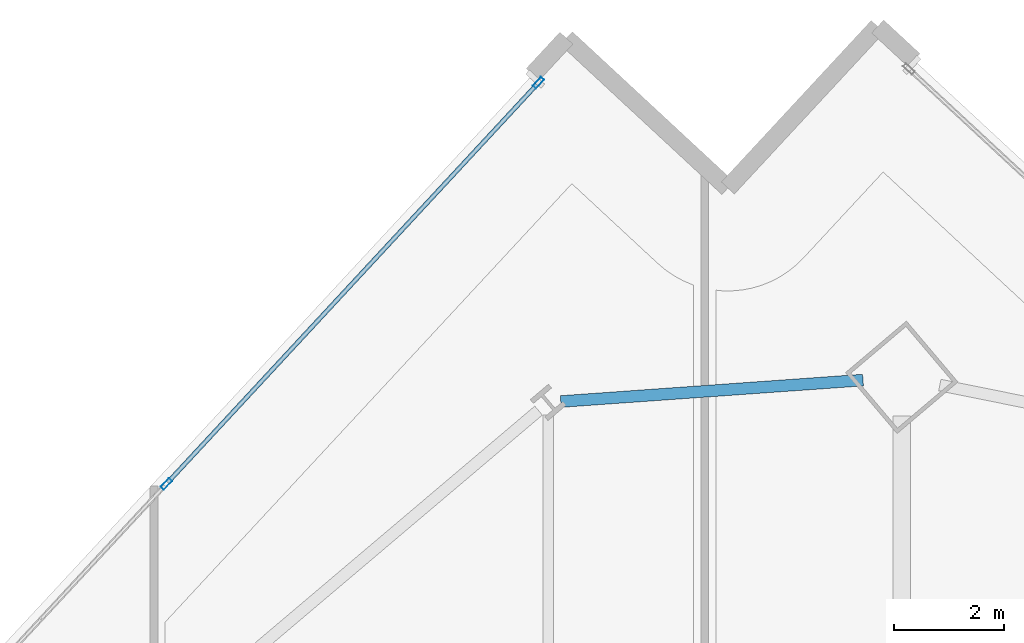
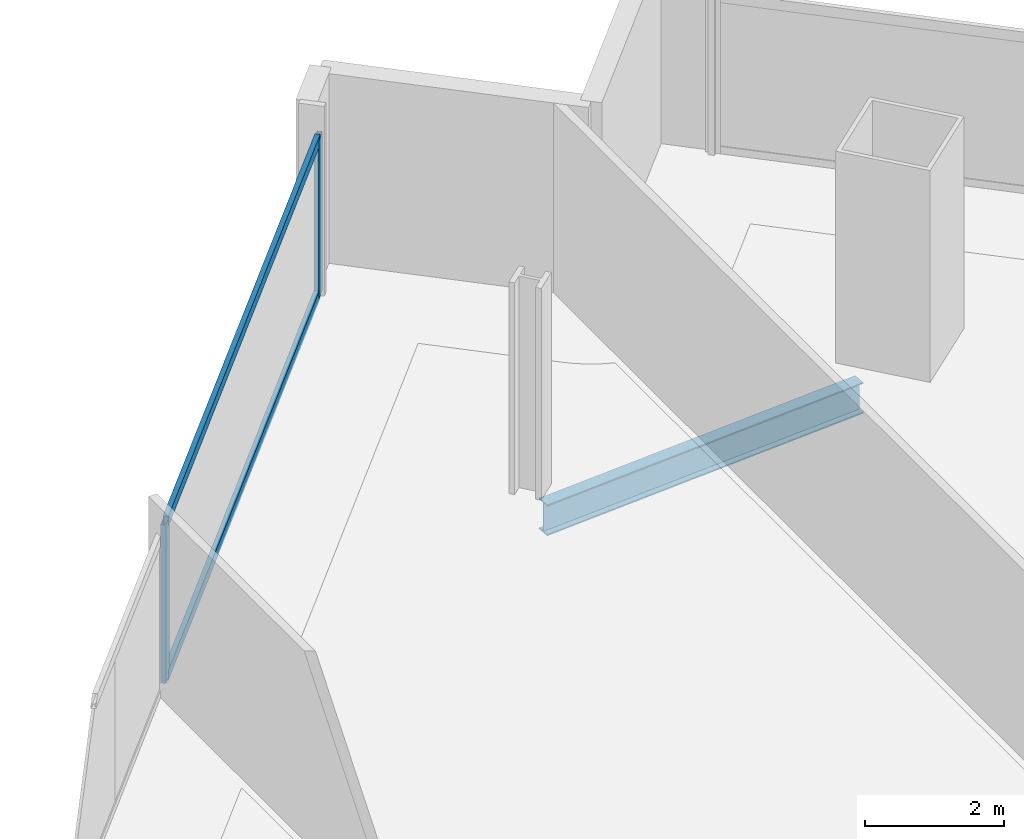
# One storey, part 17 of 32: 4 members, 1 beam, 1 element without a shape of its own.
"""IFC4 building model written with IfcOpenShell, lengths in metres."""

from ifc_helpers import new_model, si_unit, direction, frame, origin, origin_2d, place, context, subcontext, project, spatial, hollow_rectangle, i_section, extrude, material, material_profile, profile_set, type_object, element, aggregate, save


model = new_model("IFC4")

# Units and contexts
model_context = context("Model", 3, precision=1e-05, world=origin(), true_north=direction((0.0, 1.0)))
body_context = subcontext(model_context, "Body", "Model", "MODEL_VIEW")
ifc_project = project(units=[si_unit("LENGTHUNIT", "METRE"), si_unit("AREAUNIT", "SQUARE_METRE"), si_unit("VOLUMEUNIT", "CUBIC_METRE"), si_unit("PLANEANGLEUNIT", "RADIAN"), si_unit("MASSUNIT", "GRAM", prefix="KILO")], contexts=[model_context])

# Site, building, storey
site_placement = place(None, origin())
site = spatial("IfcSite", under=ifc_project, at=site_placement, CompositionType="ELEMENT")
building_placement = place(site_placement, origin())
building = spatial("IfcBuilding", under=site, at=building_placement, Name="Haldenkirk Collegiate Tower", CompositionType="ELEMENT")
storey_placement = place(building_placement, frame((0.0, 0.0, 185.699951171875)))
storey = spatial("IfcBuildingStorey", under=building, at=storey_placement, Name="L46", CompositionType="ELEMENT", Elevation=185.699951171875)

# Beam
ifc_material_1 = material(Name="Steel ASTM A992 Grade 50", Category="steel")
ifc_material_profile_1 = material_profile(ifc_material_1, i_section(OverallWidth=0.2119140625, OverallDepth=0.5439453125, WebThickness=0.01318359375, FlangeThickness=0.021240234375, at=origin_2d()), Name="W21X83")
ifc_profile_set_1 = profile_set([ifc_material_profile_1], Name="Steel ASTM A992 Grade 50")
beam_type = type_object("IfcBeamType", Name="BM-SPANDREL-W21X83", PredefinedType="SPANDREL", material=ifc_profile_set_1)
beam_placement = place(storey_placement, frame((38.373779296875, 51.025146484375, -0.56201171875), z_axis=(-0.997489017738, -0.070821320891, 0.0), x_axis=(0.070821320891, -0.997489017738, 0.0)))
element("IfcBeam", 1, at=beam_placement, inside=storey, type_object=beam_type, Name="L46 perimeter spandrel beam 09", PredefinedType="SPANDREL", context=body_context, shape_type="SweptSolid", body=[
    extrude(i_section(OverallWidth=0.2119140625, OverallDepth=0.5439453125, WebThickness=0.01318359375, FlangeThickness=0.021240234375, at=origin_2d()), origin(), (0.0, 0.0, 1.0), 5.501953125),
])

# Curtain wall, members
ifc_material_2 = material(Name="Anodised architectural bronze aluminium", Category="aluminium")
curtain_wall_type = type_object("IfcCurtainWallType", Name="CW-SYS1-CONVEX-LOW", PredefinedType="USERDEFINED", material=ifc_material_2)
curtain_wall_placement = place(storey_placement, origin())
curtain_wall = element("IfcCurtainWall", 2, at=curtain_wall_placement, inside=storey, type_object=curtain_wall_type, Name="L46 Lower tower convex bronze-framed unitised curtain wall", ObjectType="UNITISED CURTAIN WALL", PredefinedType="USERDEFINED")
ifc_material_profile_2 = material_profile(ifc_material_2, hollow_rectangle(XDim=0.080078125, YDim=0.219970703125, WallThickness=0.0048828125, at=origin_2d()), Name="CW-MUL-1A")
ifc_profile_set_2 = profile_set([ifc_material_profile_2], Name="Anodised architectural bronze aluminium")
member_type_1 = type_object("IfcMemberType", Name="CW-MUL-1A", PredefinedType="MULLION", material=ifc_profile_set_2)
member_1_placement = place(storey_placement, frame((25.7236328125, 49.138671875, 0.0), z_axis=(0.0, 0.0, 1.0), x_axis=(-0.733137779244, 0.680080139869, 0.0)))
member_1 = element("IfcMember", 3, at=member_1_placement, type_object=member_type_1, Name="CW-1A mullion 4", PredefinedType="MULLION", context=body_context, shape_type="SweptSolid", body=[
    extrude(hollow_rectangle(XDim=0.080078125, YDim=0.219970703125, WallThickness=0.0048828125, at=origin_2d()), origin(), (0.0, 0.0, 1.0), 2.791015625),
])
member_2_placement = place(storey_placement, frame((32.480224609375, 56.42236328125, 0.0), z_axis=(0.0, 0.0, 1.0), x_axis=(-0.733137779244, 0.680080139869, 0.0)))
member_2 = element("IfcMember", 4, at=member_2_placement, type_object=member_type_1, Name="CW-1A mullion 5", PredefinedType="MULLION", context=body_context, shape_type="SweptSolid", body=[
    extrude(hollow_rectangle(XDim=0.080078125, YDim=0.219970703125, WallThickness=0.0048828125, at=origin_2d()), origin(), (0.0, 0.0, 1.0), 2.791015625),
])
ifc_material_profile_3 = material_profile(ifc_material_2, hollow_rectangle(XDim=0.080078125, YDim=0.179931640625, WallThickness=0.0048828125, at=origin_2d()), Name="CW-TRN-1A")
ifc_profile_set_3 = profile_set([ifc_material_profile_3], Name="Anodised architectural bronze aluminium")
member_type_2 = type_object("IfcMemberType", Name="CW-TRN-1A", PredefinedType="USERDEFINED", material=ifc_profile_set_3)
member_3_placement = place(storey_placement, frame((25.7509765625, 49.16796875, 0.0400390625), z_axis=(0.68007662831, 0.733141036654, 0.0), x_axis=(-0.733141036654, 0.68007662831, 0.0)))
member_3 = element("IfcMember", 5, at=member_3_placement, type_object=member_type_2, Name="CW-1A transom 4.1", ObjectType="TRANSOM", PredefinedType="USERDEFINED", context=body_context, shape_type="SweptSolid", body=[
    extrude(hollow_rectangle(XDim=0.080078125, YDim=0.179931640625, WallThickness=0.0048828125, at=origin_2d()), origin(), (0.0, 0.0, 1.0), 9.85498046875),
])
member_4_placement = place(storey_placement, frame((25.7509765625, 49.16796875, 2.7509765625), z_axis=(0.68007662831, 0.733141036654, 0.0), x_axis=(-0.733141036654, 0.68007662831, 0.0)))
member_4 = element("IfcMember", 6, at=member_4_placement, type_object=member_type_2, Name="CW-1A transom 4.2", ObjectType="TRANSOM", PredefinedType="USERDEFINED", context=body_context, shape_type="SweptSolid", body=[
    extrude(hollow_rectangle(XDim=0.080078125, YDim=0.179931640625, WallThickness=0.0048828125, at=origin_2d()), origin(), (0.0, 0.0, 1.0), 9.85498046875),
])
aggregate(curtain_wall, [member_1, member_2, member_3, member_4])

save(model, "model.ifc")
